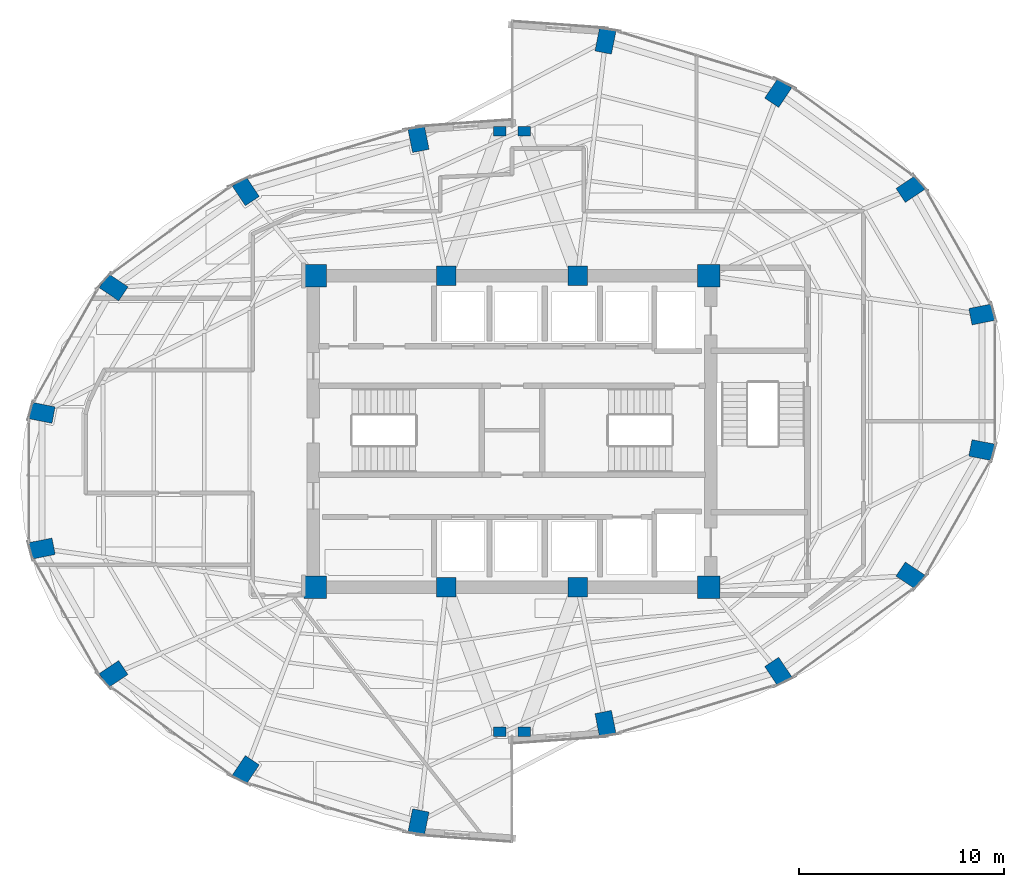
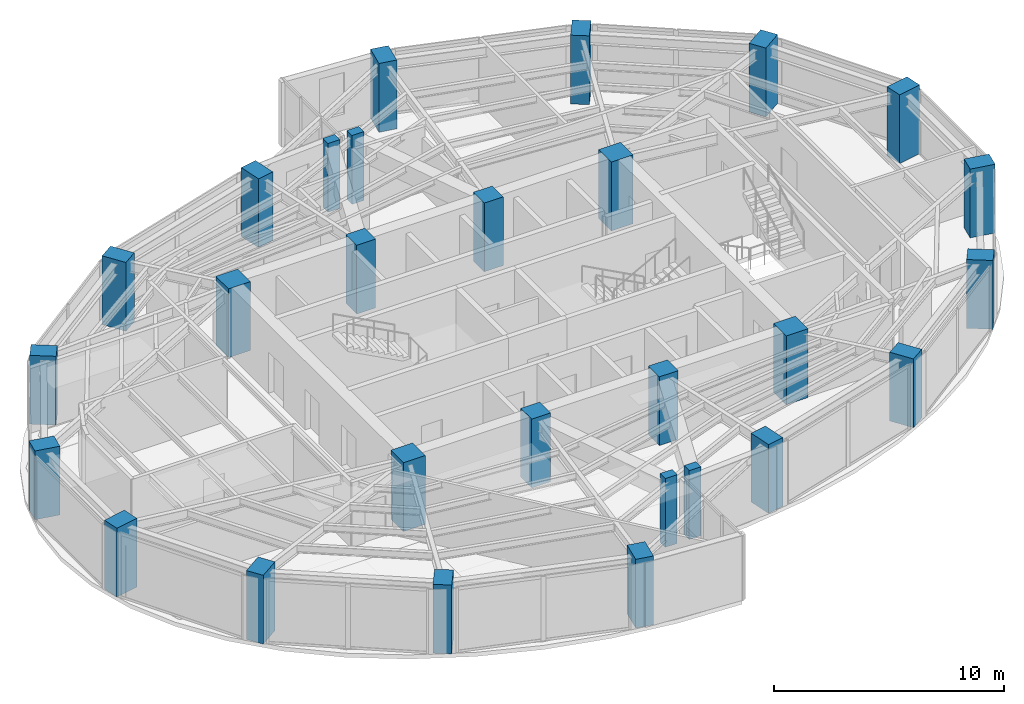
# One storey, part 1 of 20: 28 columns.
"""IFC4 building model written with IfcOpenShell, lengths in metres."""

from ifc_helpers import new_model, si_unit, direction, frame, origin, origin_2d, place, context, subcontext, project, spatial, rectangle, extrude, material, material_profile, profile_set, type_object, element, save


model = new_model("IFC4")

# Units and contexts
model_context = context("Model", 3, precision=1e-05, world=origin(), true_north=direction((0.0, 1.0)))
body_context = subcontext(model_context, "Body", "Model", "MODEL_VIEW")
ifc_project = project(units=[si_unit("LENGTHUNIT", "METRE"), si_unit("AREAUNIT", "SQUARE_METRE"), si_unit("VOLUMEUNIT", "CUBIC_METRE"), si_unit("PLANEANGLEUNIT", "RADIAN"), si_unit("MASSUNIT", "GRAM", prefix="KILO")], contexts=[model_context])

# Site, building, storey
site_placement = place(None, origin())
site = spatial("IfcSite", under=ifc_project, at=site_placement, CompositionType="ELEMENT")
building_placement = place(site_placement, origin())
building = spatial("IfcBuilding", under=site, at=building_placement, Name="Lazwardi Medical Tower", CompositionType="ELEMENT")
storey_placement = place(building_placement, frame((0.0, 0.0, 152.8798828125)))
storey = spatial("IfcBuildingStorey", under=building, at=storey_placement, Name="L39", CompositionType="ELEMENT", Elevation=152.8798828125)

# Columns
ifc_material_1 = material(Name="Concrete C80/95", Category="concrete")
ifc_material_profile_1 = material_profile(ifc_material_1, rectangle(XDim=1.10009765625, YDim=1.10009765625, at=origin_2d()), Name="RC 1100x1100")
ifc_profile_set_1 = profile_set([ifc_material_profile_1], Name="Concrete C80/95")
column_type_1 = type_object("IfcColumnType", Name="COL-CC-L", PredefinedType="COLUMN", material=ifc_profile_set_1)
for number, where, z_axis, x_axis, name in (
    (1, (26.39990234375, 20.39990234375, 0.0), (0.0, 0.0, 1.0), (1.0, 0.0, 0.0), "Core column CC-01 CC1 L39"),
    (2, (45.60009765625, 20.39990234375, 0.0), (0.0, 0.0, 1.0), (1.0, 0.0, 0.0), "Core column CC-01 CC4 L39"),
    (3, (45.60009765625, 35.60009765625, 0.0), (0.0, 0.0, 1.0), (1.0, 0.0, 0.0), "Core column CC-01 CC5 L39"),
    (4, (26.39990234375, 35.60009765625, 0.0), (0.0, 0.0, 1.0), (1.0, 0.0, 0.0), "Core column CC-01 CC8 L39"),
):
    element("IfcColumn", number, at=place(storey_placement, frame(where, z_axis=z_axis, x_axis=x_axis)), inside=storey, type_object=column_type_1, Name=name, PredefinedType="COLUMN", context=body_context, shape_type="SweptSolid", body=[
        extrude(rectangle(XDim=1.10009765625, YDim=1.10009765625, at=origin_2d()), origin(), (0.0, 0.0, 1.0), 3.648193359375),
    ])
ifc_material_2 = material(Name="Concrete C70/85", Category="concrete")
ifc_material_profile_2 = material_profile(ifc_material_2, rectangle(XDim=0.949951171875, YDim=0.949951171875, at=origin_2d()), Name="RC 950x950")
ifc_profile_set_2 = profile_set([ifc_material_profile_2], Name="Concrete C70/85")
column_type_2 = type_object("IfcColumnType", Name="COL-CC-M", PredefinedType="COLUMN", material=ifc_profile_set_2)
for number, where, z_axis, x_axis, name in (
    (5, (32.800048828125, 20.39990234375, 0.0), (0.0, 0.0, 1.0), (1.0, 0.0, 0.0), "Core column CC-02 CC2 L39"),
    (6, (39.199951171875, 20.39990234375, 0.0), (0.0, 0.0, 1.0), (1.0, 0.0, 0.0), "Core column CC-02 CC3 L39"),
    (7, (39.199951171875, 35.60009765625, 0.0), (0.0, 0.0, 1.0), (1.0, 0.0, 0.0), "Core column CC-02 CC6 L39"),
    (8, (32.800048828125, 35.60009765625, 0.0), (0.0, 0.0, 1.0), (1.0, 0.0, 0.0), "Core column CC-02 CC7 L39"),
):
    element("IfcColumn", number, at=place(storey_placement, frame(where, z_axis=z_axis, x_axis=x_axis)), inside=storey, type_object=column_type_2, Name=name, PredefinedType="COLUMN", context=body_context, shape_type="SweptSolid", body=[
        extrude(rectangle(XDim=0.949951171875, YDim=0.949951171875, at=origin_2d()), origin(), (0.0, 0.0, 1.0), 3.648193359375),
    ])
ifc_material_3 = material(Name="Concrete C60/75", Category="concrete")
ifc_material_profile_3 = material_profile(ifc_material_3, rectangle(XDim=1.14990234375, YDim=0.820068359375, at=origin_2d()), Name="CFT-RECT 1150x820")
ifc_profile_set_3 = profile_set([ifc_material_profile_3], Name="Concrete C60/75")
column_type_3 = type_object("IfcColumnType", Name="COL-MC-Z3", PredefinedType="COLUMN", material=ifc_profile_set_3)
for number, where, z_axis, x_axis, name in (
    (9, (40.560302734375, 13.751220703125, 0.0), (0.0, 0.0, 1.0), (0.195090322016, -0.980785280403, 0.0), "Mega column MC-05 M01 L39"),
    (10, (48.986572265625, 16.285888671875, 0.0), (0.0, 0.0, 1.0), (0.55557023302, -0.831469612303, 0.0), "Mega column MC-05 M02 L39"),
    (11, (55.435546875, 20.96923828125, 0.0), (0.0, 0.0, 1.0), (0.831469612303, -0.55557023302, 0.0), "Mega column MC-05 M03 L39"),
    (12, (58.92578125, 27.08837890625, 0.0), (0.0, 0.0, 1.0), (0.980785280403, -0.195090322016, 0.0), "Mega column MC-05 M04 L39"),
    (13, (58.92578125, 33.711669921875, 0.0), (0.0, 0.0, 1.0), (0.980785280403, 0.195090322016, 0.0), "Mega column MC-05 M05 L39"),
    (14, (55.435546875, 39.830810546875, 0.0), (0.0, 0.0, 1.0), (0.831469612303, 0.55557023302, 0.0), "Mega column MC-05 M06 L39"),
    (15, (48.986572265625, 44.51416015625, 0.0), (0.0, 0.0, 1.0), (0.55557023302, 0.831469612303, 0.0), "Mega column MC-05 M07 L39"),
    (16, (40.560302734375, 47.048828125, 0.0), (0.0, 0.0, 1.0), (0.195090322016, 0.980785280403, 0.0), "Mega column MC-05 M08 L39"),
    (17, (31.439697265625, 42.248779296875, 0.0), (0.0, 0.0, 1.0), (-0.195090322016, 0.980785280403, 0.0), "Mega column MC-05 M09 L39"),
    (18, (23.013427734375, 39.714111328125, 0.0), (0.0, 0.0, 1.0), (-0.55557023302, 0.831469612303, 0.0), "Mega column MC-05 M10 L39"),
    (19, (16.564453125, 35.03076171875, 0.0), (0.0, 0.0, 1.0), (-0.831469612303, 0.55557023302, 0.0), "Mega column MC-05 M11 L39"),
    (20, (13.07421875, 28.91162109375, 0.0), (0.0, 0.0, 1.0), (-0.980785280403, 0.195090322016, 0.0), "Mega column MC-05 M12 L39"),
    (21, (13.07421875, 22.288330078125, 0.0), (0.0, 0.0, 1.0), (-0.980785280403, -0.195090322016, 0.0), "Mega column MC-05 M13 L39"),
    (22, (16.564453125, 16.169189453125, 0.0), (0.0, 0.0, 1.0), (-0.831469612303, -0.55557023302, 0.0), "Mega column MC-05 M14 L39"),
    (23, (23.013427734375, 11.48583984375, 0.0), (0.0, 0.0, 1.0), (-0.55557023302, -0.831469612303, 0.0), "Mega column MC-05 M15 L39"),
    (24, (31.439697265625, 8.951171875, 0.0), (0.0, 0.0, 1.0), (-0.195090322016, -0.980785280403, 0.0), "Mega column MC-05 M16 L39"),
):
    element("IfcColumn", number, at=place(storey_placement, frame(where, z_axis=z_axis, x_axis=x_axis)), inside=storey, type_object=column_type_3, Name=name, PredefinedType="COLUMN", context=body_context, shape_type="SweptSolid", body=[
        extrude(rectangle(XDim=1.14990234375, YDim=0.820068359375, at=origin_2d()), origin(), (0.0, 0.0, 1.0), 3.648193359375),
    ])
ifc_material_profile_4 = material_profile(ifc_material_3, rectangle(XDim=0.60009765625, YDim=0.449951171875, at=origin_2d()), Name="RC 600x450")
ifc_profile_set_4 = profile_set([ifc_material_profile_4], Name="Concrete C60/75")
column_type_4 = type_object("IfcColumnType", Name="COL-PL-IW", PredefinedType="PILASTER", material=ifc_profile_set_4)
for number, where, z_axis, x_axis, name in (
    (25, (35.39990234375, 42.64990234375, 0.0), (0.0, 0.0, 1.0), (1.0, 0.0, 0.0), "Iwan pilaster column PL-C1 PL1 L39"),
    (26, (36.60009765625, 42.64990234375, 0.0), (0.0, 0.0, 1.0), (1.0, 0.0, 0.0), "Iwan pilaster column PL-C1 PL2 L39"),
    (27, (35.39990234375, 13.35009765625, 0.0), (0.0, 0.0, 1.0), (1.0, 0.0, 0.0), "Iwan pilaster column PL-C1 PL3 L39"),
    (28, (36.60009765625, 13.35009765625, 0.0), (0.0, 0.0, 1.0), (1.0, 0.0, 0.0), "Iwan pilaster column PL-C1 PL4 L39"),
):
    element("IfcColumn", number, at=place(storey_placement, frame(where, z_axis=z_axis, x_axis=x_axis)), inside=storey, type_object=column_type_4, Name=name, PredefinedType="PILASTER", context=body_context, shape_type="SweptSolid", body=[
        extrude(rectangle(XDim=0.60009765625, YDim=0.449951171875, at=origin_2d()), origin(), (0.0, 0.0, 1.0), 3.648193359375),
    ])

save(model, "model.ifc")
